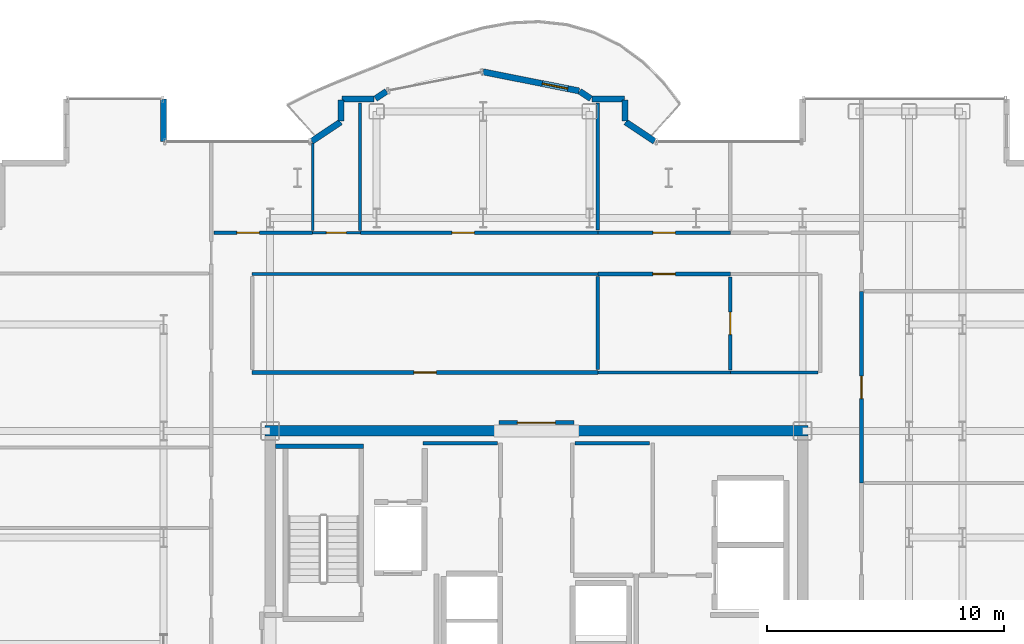
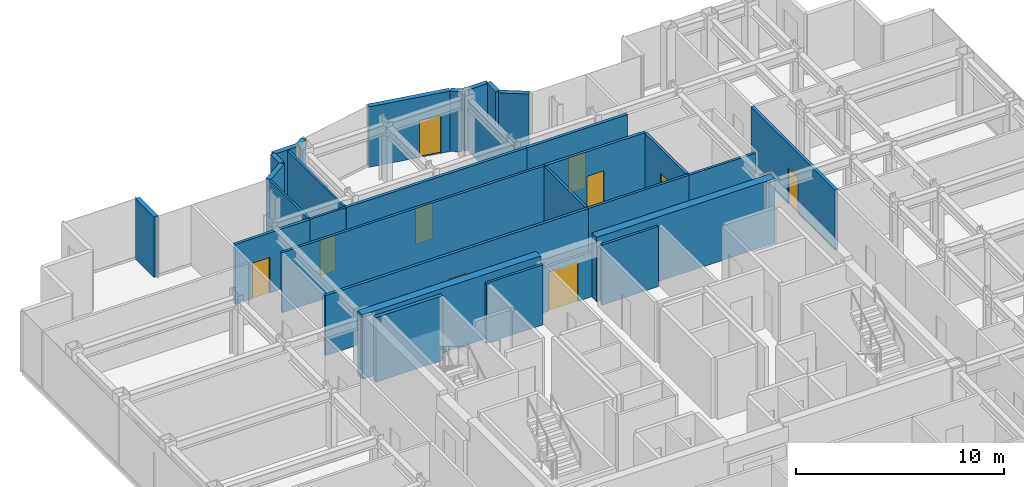
# One storey, part 18 of 21: 31 walls, 10 doors, 10 openings.
"""IFC4 building model written with IfcOpenShell, lengths in metres."""

import ifcopenshell
import ifcopenshell.guid

model = None  # the IFC model being written
_history = None  # IfcOwnerHistory: only IFC2X3 demands one
_inside = {}  # id of a spatial element -> (the spatial element, [elements in it])
_under = {}  # id of a project, library or spatial element -> (it, [spatial elements below it])
_declared = {}  # id of a project -> (the project, [libraries it declares])
_typed = {}  # id of a type object -> (the type object, [elements of that type])
_made_of = {}  # id of a material, layer set ... -> (it, [elements and type objects made of it])


def new_model(schema):
    """Start an empty IFC model of exactly this schema.

    Asked for "IFC4X3", IfcOpenShell would pick the latest addendum, in which some entities
    have other attributes; the version numbers below select the first issue.
    IFC2X3 requires an IfcOwnerHistory on every rooted entity: one is made here for all.
    """
    global model, _history
    if schema == "IFC4X3":
        model = ifcopenshell.file(schema_version=(4, 3, 0, 0))
    else:
        model = ifcopenshell.file(schema=schema)
    _inside.clear()
    _under.clear()
    _declared.clear()
    _typed.clear()
    _made_of.clear()
    _history = None
    if model.schema == "IFC2X3":
        org = make("IfcOrganization", Name="unknown")
        user = make(
            "IfcPersonAndOrganization",
            ThePerson=make("IfcPerson", FamilyName="unknown"),
            TheOrganization=org,
        )
        app = make(
            "IfcApplication",
            ApplicationDeveloper=org,
            Version="unknown",
            ApplicationFullName="unknown",
            ApplicationIdentifier="unknown",
        )
        _history = make(
            "IfcOwnerHistory",
            OwningUser=user,
            OwningApplication=app,
            ChangeAction="ADDED",
            CreationDate=0,
        )
    return model


def make(cls, **values):
    """One entity of the class cls with the attributes given. An attribute that is None is left unset."""
    return model.create_entity(
        cls, **{name: value for name, value in values.items() if value is not None}
    )


def rooted(cls, **values):
    """An entity with a GlobalId (a new one), such as an element, a storey or a relation."""
    return make(cls, GlobalId=ifcopenshell.guid.new(), OwnerHistory=_history, **values)


def si_unit(unit_type, name, prefix=None):
    """IfcSIUnit, for example si_unit("LENGTHUNIT", "METRE", prefix="MILLI")."""
    return make("IfcSIUnit", UnitType=unit_type, Prefix=prefix, Name=name)


def assignment(units):
    """IfcUnitAssignment: the units of a project."""
    return None if units is None else make("IfcUnitAssignment", Units=units)


def point(xyz):
    """IfcCartesianPoint."""
    return None if xyz is None else make("IfcCartesianPoint", Coordinates=xyz)


def direction(xyz):
    """IfcDirection."""
    return None if xyz is None else make("IfcDirection", DirectionRatios=xyz)


def frame(location, z_axis=None, x_axis=None):
    """IfcAxis2Placement3D, a coordinate frame: its origin and axes. An axis left out is left unset."""
    return make(
        "IfcAxis2Placement3D",
        Location=point(location),
        Axis=direction(z_axis),
        RefDirection=direction(x_axis),
    )


def frame_2d(location, x_axis=None):
    """IfcAxis2Placement2D, a coordinate frame in the plane: its origin and x axis."""
    return make(
        "IfcAxis2Placement2D", Location=point(location), RefDirection=direction(x_axis)
    )


def origin():
    """The frame at (0, 0, 0) with its axes left unset."""
    return frame((0.0, 0.0, 0.0))


def place(relative_to, where):
    """IfcLocalPlacement: puts the frame where relative to a parent placement (None: the world)."""
    return make(
        "IfcLocalPlacement", PlacementRelTo=relative_to, RelativePlacement=where
    )


def context(
    kind, dimensions, precision=None, world=None, true_north=None, identifier=None
):
    """IfcGeometricRepresentationContext, for example the 3D "Model" context."""
    return make(
        "IfcGeometricRepresentationContext",
        ContextIdentifier=identifier,
        ContextType=kind,
        CoordinateSpaceDimension=dimensions,
        Precision=precision,
        WorldCoordinateSystem=world,
        TrueNorth=true_north,
    )


def subcontext(parent, identifier, kind, view, scale=None):
    """IfcGeometricRepresentationSubContext, for example "Body" below "Model"."""
    return make(
        "IfcGeometricRepresentationSubContext",
        ContextIdentifier=identifier,
        ContextType=kind,
        ParentContext=parent,
        TargetScale=scale,
        TargetView=view,
    )


def project(units=None, contexts=None):
    """IfcProject with its units and contexts."""
    return rooted(
        "IfcProject",
        Name="project",
        RepresentationContexts=contexts,
        UnitsInContext=assignment(units),
    )


def spatial(cls, under=None, at=None, **own):
    """A site, building, storey or space (cls), placed at a placement, below another one or the project."""
    s = rooted(cls, ObjectPlacement=at, **own)
    if under is not None:
        _under.setdefault(under.id(), (under, []))[1].append(s)
    return s


def profile(cls, at=None, kind="AREA", **sizes):
    """A parametric profile (cls). Its sizes go by their IFC names, for example OverallWidth=200.0."""
    return make(cls, ProfileType=kind, Position=at, **sizes)


def rectangle(**sizes):
    """IfcRectangleProfileDef."""
    return profile("IfcRectangleProfileDef", **sizes)


def extrude(swept, where, along, depth):
    """IfcExtrudedAreaSolid: the profile swept, set in the frame where, extruded along a direction by depth."""
    return make(
        "IfcExtrudedAreaSolid",
        SweptArea=swept,
        Position=where,
        ExtrudedDirection=direction(along),
        Depth=depth,
    )


def shape(context_of_items, identifier, shape_type, items):
    """IfcShapeRepresentation: the items that make up one representation, for example the "Body"."""
    return make(
        "IfcShapeRepresentation",
        ContextOfItems=context_of_items,
        RepresentationIdentifier=identifier,
        RepresentationType=shape_type,
        Items=items,
    )


def source(mapping_origin, context_of_items, identifier, shape_type, items):
    """IfcRepresentationMap: a shape defined once, which mapped items show again and again."""
    return make(
        "IfcRepresentationMap",
        MappingOrigin=mapping_origin,
        MappedRepresentation=shape(context_of_items, identifier, shape_type, items),
    )


def transform(
    local_origin,
    x_axis=None,
    y_axis=None,
    z_axis=None,
    scale=None,
    scale2=None,
    scale3=None,
    uniform=True,
):
    """IfcCartesianTransformationOperator3D, or its non-uniform kind. x_axis, y_axis, z_axis: its Axis1, 2, 3."""
    if uniform:
        return make(
            "IfcCartesianTransformationOperator3D",
            Axis1=direction(x_axis),
            Axis2=direction(y_axis),
            LocalOrigin=point(local_origin),
            Scale=scale,
            Axis3=direction(z_axis),
        )
    return make(
        "IfcCartesianTransformationOperator3DnonUniform",
        Axis1=direction(x_axis),
        Axis2=direction(y_axis),
        LocalOrigin=point(local_origin),
        Scale=scale,
        Axis3=direction(z_axis),
        Scale2=scale2,
        Scale3=scale3,
    )


def mapped(mapping_source, mapping_target):
    """IfcMappedItem: shows the shape of a source again, moved by a transform."""
    return make(
        "IfcMappedItem", MappingSource=mapping_source, MappingTarget=mapping_target
    )


def material(Name=None, Category=None):
    """IfcMaterial."""
    return make("IfcMaterial", Name=Name, Category=Category)


def layer(
    of_material, thickness, ventilated=None, Name=None, Category=None, Priority=None
):
    """IfcMaterialLayer: one layer of a wall or slab, of a material (None: an air gap)."""
    return make(
        "IfcMaterialLayer",
        Material=of_material,
        LayerThickness=thickness,
        IsVentilated=ventilated,
        Name=Name,
        Category=Category,
        Priority=Priority,
    )


def layer_set(layers, Name=None):
    """IfcMaterialLayerSet."""
    return make("IfcMaterialLayerSet", MaterialLayers=layers, LayerSetName=Name)


def made_of(thing, what):
    """Note that an element or type object is made of a material, layer set ...; save() writes the relation."""
    if what is not None:
        _made_of.setdefault(what.id(), (what, []))[1].append(thing)
    return thing


def type_object(cls, material=None, **own):
    """A type object (cls), such as IfcWallType, which elements share."""
    return made_of(rooted(cls, **own), material)


def element(
    cls,
    number,
    at=None,
    inside=None,
    cuts=None,
    type_object=None,
    material=None,
    context=None,
    identifier="Body",
    shape_type=None,
    held_by="IfcProductDefinitionShape",
    body=None,
    shapes=None,
    **own,
):
    """One element of the class cls, such as IfcWall. Its Tag is "e" and its number.

    at: its placement. inside: the storey or other place that contains it. cuts: it is an
    opening in that element (IfcRelVoidsElement). A single representation is given by context,
    identifier, shape_type and body (its items); several are given by shapes. held_by: the class
    of the entity that holds the representations. save() writes the other relations.
    """
    e = rooted(cls, Tag="e%d" % number, ObjectPlacement=at, **own)
    if body is not None:
        shapes = [shape(context, identifier, shape_type, body)]
    if shapes is not None:
        e.Representation = make(held_by, Representations=shapes)
    if inside is not None:
        _inside.setdefault(inside.id(), (inside, []))[1].append(e)
    if cuts is not None:
        rooted(
            "IfcRelVoidsElement", RelatingBuildingElement=cuts, RelatedOpeningElement=e
        )
    if type_object is not None:
        _typed.setdefault(type_object.id(), (type_object, []))[1].append(e)
    return made_of(e, material)


def fill(opening, filler):
    """IfcRelFillsElement: the door or window that sits in an opening."""
    return rooted(
        "IfcRelFillsElement",
        RelatingOpeningElement=opening,
        RelatedBuildingElement=filler,
    )


def aggregate(whole, parts):
    """IfcRelAggregates: a whole, such as a stair, and the parts it consists of."""
    return rooted("IfcRelAggregates", RelatingObject=whole, RelatedObjects=parts)


def save(model, path):
    """Write the relations noted so far, then the file.

    IfcRelAggregates (storeys below a building ...), IfcRelContainedInSpatialStructure (elements
    in a storey), IfcRelDefinesByType, IfcRelAssociatesMaterial and IfcRelDeclares: one each for
    every whole, place, type object, material and project.
    """
    for whole, parts in _under.values():
        aggregate(whole, parts)
    for where, things in _inside.values():
        rooted(
            "IfcRelContainedInSpatialStructure",
            RelatedElements=things,
            RelatingStructure=where,
        )
    for kind, things in _typed.values():
        rooted("IfcRelDefinesByType", RelatedObjects=things, RelatingType=kind)
    for what, things in _made_of.values():
        rooted("IfcRelAssociatesMaterial", RelatedObjects=things, RelatingMaterial=what)
    for by, libraries in _declared.values():
        rooted("IfcRelDeclares", RelatingContext=by, RelatedDefinitions=libraries)
    model.write(path)


model = new_model("IFC4")

# Units and contexts
model_context = context("Model", 3, precision=1e-05, world=origin(), true_north=direction((0.0, 1.0)))
body_context = subcontext(model_context, "Body", "Model", "MODEL_VIEW")
ifc_project = project(units=[si_unit("LENGTHUNIT", "METRE"), si_unit("AREAUNIT", "SQUARE_METRE"), si_unit("VOLUMEUNIT", "CUBIC_METRE"), si_unit("PLANEANGLEUNIT", "RADIAN"), si_unit("MASSUNIT", "GRAM", prefix="KILO")], contexts=[model_context])

# Site, building, storey
site_placement = place(None, origin())
site = spatial("IfcSite", under=ifc_project, at=site_placement, CompositionType="ELEMENT")
building_placement = place(site_placement, origin())
building = spatial("IfcBuilding", under=site, at=building_placement, Name="Nefas-Gora Pilgrimage Tower", CompositionType="ELEMENT")
storey_placement = place(building_placement, frame((0.0, 0.0, 210.39990234375)))
storey = spatial("IfcBuildingStorey", under=building, at=storey_placement, Name="L52", CompositionType="ELEMENT", Elevation=210.39990234375)

# Walls
ifc_material_1 = material(Name="Concrete C50/60", Category="concrete")
ifc_layer_1 = layer(ifc_material_1, 0.449951171875)
ifc_layer_set_1 = layer_set([ifc_layer_1], Name="Concrete C50/60")
wall_type_1 = type_object("IfcWallType", Name="SW-CORE-450", PredefinedType="SHEAR", material=ifc_layer_set_1)
shared_shape_1 = source(origin(), body_context, "Body", "SweptSolid", [
    extrude(rectangle(XDim=9.925048828125, YDim=0.449951171875, at=frame_2d((4.96240234375, 0.0))), origin(), (0.0, 0.0, 1.0), 3.800048828125),
])
for number, where, z_axis, x_axis, name in (
    (1, (-11.47509765625, 9.0, 0.0), (0.0, 0.0, 1.0), (1.0, 0.0, 0.0), "L52 Core Shear Wall N-West"),
    (2, (1.550048828125, 9.0, 0.0), (0.0, 0.0, 1.0), (1.0, 0.0, 0.0), "L52 Core Shear Wall N-East"),
):
    element("IfcWall", number, at=place(storey_placement, frame(where, z_axis=z_axis, x_axis=x_axis)), inside=storey, type_object=wall_type_1, Name=name, PredefinedType="SHEAR", context=body_context, shape_type="MappedRepresentation", body=[
        mapped(shared_shape_1, transform((0.0, 0.0, 0.0), x_axis=(1.0, 0.0, 0.0), y_axis=(0.0, 1.0, 0.0), z_axis=(0.0, 0.0, 1.0), scale=1.0)),
    ])
ifc_material_2 = material(Name="Precast concrete C40/50", Category="concrete")
ifc_layer_2 = layer(ifc_material_2, 0.260009765625)
ifc_layer_set_2 = layer_set([ifc_layer_2], Name="Precast concrete C40/50")
wall_type_2 = type_object("IfcWallType", Name="EW-PORTAL-260", PredefinedType="SOLIDWALL", material=ifc_layer_set_2)
shared_shape_2 = source(origin(), body_context, "Body", "SweptSolid", [
    extrude(rectangle(XDim=1.800048828125, YDim=0.260009765625, at=frame_2d((0.89990234375, 0.0))), origin(), (0.0, 0.0, 1.0), 3.550048828125),
])
wall_1_placement = place(storey_placement, frame((-15.75, 21.219970703125, 0.0), z_axis=(0.0, 0.0, 1.0), x_axis=(0.0, 1.0, 0.0)))
element("IfcWall", 3, at=wall_1_placement, inside=storey, type_object=wall_type_2, Name="L52 Lobe Shoulder Precast Spandrel Pier 20", PredefinedType="SOLIDWALL", context=body_context, shape_type="MappedRepresentation", body=[
    mapped(shared_shape_2, transform((0.0, 0.0, 0.0), x_axis=(1.0, 0.0, 0.0), y_axis=(0.0, 1.0, 0.0), z_axis=(0.0, 0.0, 1.0), scale=1.0)),
])
shared_shape_3 = source(origin(), body_context, "Body", "SweptSolid", [
    extrude(rectangle(XDim=1.468994140625, YDim=0.260009765625, at=frame_2d((0.734375, 0.0))), origin(), (0.0, 0.0, 1.0), 3.550048828125),
])
for number, where, z_axis, x_axis, name in (
    (4, (4.99462890625, 21.235595703125, 0.0), (0.0, 0.0, 1.0), (-0.831461760506, 0.555581983884, 0.0), "L52 Lobe Shoulder Precast Spandrel Pier 11"),
    (5, (-8.273193359375, 22.0517578125, 0.0), (0.0, 0.0, 1.0), (-0.831461760506, -0.555581983884, 0.0), "L52 Lobe Shoulder Precast Spandrel Pier 19"),
):
    element("IfcWall", number, at=place(storey_placement, frame(where, z_axis=z_axis, x_axis=x_axis)), inside=storey, type_object=wall_type_2, Name=name, PredefinedType="SOLIDWALL", context=body_context, shape_type="MappedRepresentation", body=[
        mapped(shared_shape_3, transform((0.0, 0.0, 0.0), x_axis=(1.0, 0.0, 0.0), y_axis=(0.0, 1.0, 0.0), z_axis=(0.0, 0.0, 1.0), scale=1.0)),
    ])
shared_shape_4 = source(origin(), body_context, "Body", "SweptSolid", [
    extrude(rectangle(XDim=0.896728515625, YDim=0.260009765625, at=frame_2d((0.4482421875, 0.0))), origin(), (0.0, 0.0, 1.0), 3.550048828125),
])
for number, where, z_axis, x_axis, name in (
    (6, (3.75, 22.09521484375, 0.0), (0.0, 0.0, 1.0), (0.0, 1.0, 0.0), "L52 Lobe Shoulder Precast Spandrel Pier 12"),
    (7, (-8.25, 22.991943359375, 0.0), (0.0, 0.0, 1.0), (0.0, -1.0, 0.0), "L52 Lobe Shoulder Precast Spandrel Pier 18"),
):
    element("IfcWall", number, at=place(storey_placement, frame(where, z_axis=z_axis, x_axis=x_axis)), inside=storey, type_object=wall_type_2, Name=name, PredefinedType="SOLIDWALL", context=body_context, shape_type="MappedRepresentation", body=[
        mapped(shared_shape_4, transform((0.0, 0.0, 0.0), x_axis=(1.0, 0.0, 0.0), y_axis=(0.0, 1.0, 0.0), z_axis=(0.0, 0.0, 1.0), scale=1.0)),
    ])
shared_shape_5 = source(origin(), body_context, "Body", "SweptSolid", [
    extrude(rectangle(XDim=1.369873046875, YDim=0.260009765625, at=frame_2d((0.68505859375, 0.0))), origin(), (0.0, 0.0, 1.0), 3.550048828125),
])
for number, where, z_axis, x_axis, name in (
    (8, (3.721923828125, 23.02001953125, 0.0), (0.0, 0.0, 1.0), (-1.0, 0.0, 0.0), "L52 Lobe Shoulder Precast Spandrel Pier 13"),
    (9, (-6.85205078125, 23.02001953125, 0.0), (0.0, 0.0, 1.0), (-1.0, 0.0, 0.0), "L52 Lobe Shoulder Precast Spandrel Pier 17"),
):
    element("IfcWall", number, at=place(storey_placement, frame(where, z_axis=z_axis, x_axis=x_axis)), inside=storey, type_object=wall_type_2, Name=name, PredefinedType="SOLIDWALL", context=body_context, shape_type="MappedRepresentation", body=[
        mapped(shared_shape_5, transform((0.0, 0.0, 0.0), x_axis=(1.0, 0.0, 0.0), y_axis=(0.0, 1.0, 0.0), z_axis=(0.0, 0.0, 1.0), scale=1.0)),
    ])
shared_shape_6 = source(origin(), body_context, "Body", "SweptSolid", [
    extrude(rectangle(XDim=0.5654296875, YDim=0.260009765625, at=frame_2d((0.28271484375, 0.0))), origin(), (0.0, 0.0, 1.0), 3.550048828125),
])
for number, where, z_axis, x_axis, name in (
    (10, (2.30078125, 23.03564453125, 0.0), (0.0, 0.0, 1.0), (-0.831651492666, 0.555297933317, 0.0), "L52 Lobe Shoulder Precast Spandrel Pier 14"),
    (11, (-6.33056640625, 23.349609375, 0.0), (0.0, 0.0, 1.0), (-0.831651492666, -0.555297933317, 0.0), "L52 Lobe Shoulder Precast Spandrel Pier 16"),
):
    element("IfcWall", number, at=place(storey_placement, frame(where, z_axis=z_axis, x_axis=x_axis)), inside=storey, type_object=wall_type_2, Name=name, PredefinedType="SOLIDWALL", context=body_context, shape_type="MappedRepresentation", body=[
        mapped(shared_shape_6, transform((0.0, 0.0, 0.0), x_axis=(1.0, 0.0, 0.0), y_axis=(0.0, 1.0, 0.0), z_axis=(0.0, 0.0, 1.0), scale=1.0)),
    ])

# Wall, opening, door
shared_shape_7 = source(origin(), body_context, "Body", "SweptSolid", [
    extrude(rectangle(XDim=4.136962890625, YDim=0.260009765625, at=frame_2d((2.068359375, 0.0))), origin(), (0.0, 0.0, 1.0), 3.550048828125),
])
wall_2_placement = place(storey_placement, frame((1.807373046875, 23.365234375, 0.0), z_axis=(0.0, 0.0, 1.0), x_axis=(-0.980782170794, 0.195105954428, 0.0)))
wall_2 = element("IfcWall", 12, at=wall_2_placement, inside=storey, type_object=wall_type_2, Name="L52 Insulated Terrace Portal Wall 15", PredefinedType="SOLIDWALL", context=body_context, shape_type="MappedRepresentation", body=[
    mapped(shared_shape_7, transform((0.0, 0.0, 0.0), x_axis=(1.0, 0.0, 0.0), y_axis=(0.0, 1.0, 0.0), z_axis=(0.0, 0.0, 1.0), scale=1.0)),
])
opening_1_placement = place(wall_2_placement, frame((0.48779296875, 0.0, 0.0)))
opening_1 = element("IfcOpeningElement", 13, at=opening_1_placement, cuts=wall_2, Name="Opening ED-B1", PredefinedType="OPENING", context=body_context, shape_type="SweptSolid", body=[
    extrude(rectangle(XDim=1.10009765625, YDim=2.199951171875, at=frame_2d((0.550048828125, 1.10009765625))), frame((0.0, 0.139892578125, 0.0), z_axis=(0.0, -1.0, 0.0), x_axis=(1.0, 0.0, 0.0)), (0.0, 0.0, 1.0), 0.280029296875),
])
ifc_material_3 = material(Name="Thermally broken glazed aluminium balcony door", Category="aluminium")
door_type_1 = type_object("IfcDoorType", Name="DR-EXT-BAL-1100", OperationType="NOTDEFINED", PredefinedType="DOOR", material=ifc_material_3)
shared_shape_8 = source(origin(), body_context, "Body", "SweptSolid", [
    extrude(rectangle(XDim=1.10009765625, YDim=2.199951171875, at=frame_2d((0.550048828125, 1.10009765625))), frame((0.0, 0.02490234375, 0.0), z_axis=(0.0, -1.0, 0.0), x_axis=(1.0, 0.0, 0.0)), (0.0, 0.0, 1.0), 0.050048828125),
])
door_1_placement = place(opening_1_placement, origin())
door_1 = element("IfcDoor", 14, at=door_1_placement, inside=storey, type_object=door_type_1, Name="L52 Exterior Door (L52 N Lobe Wave Balcony)", OperationType="SINGLE_SWING_LEFT", OverallHeight=2.199951171875, OverallWidth=1.10009765625, PredefinedType="DOOR", context=body_context, shape_type="MappedRepresentation", body=[
    mapped(shared_shape_8, transform((0.0, 0.0, 0.0), x_axis=(1.0, 0.0, 0.0), y_axis=(0.0, 1.0, 0.0), z_axis=(0.0, 0.0, 1.0), scale=1.0)),
])
fill(opening_1, door_1)

# Walls
ifc_material_4 = material(Name="Concrete C45/55", Category="concrete")
ifc_layer_3 = layer(ifc_material_4, 0.199951171875)
ifc_layer_set_3 = layer_set([ifc_layer_3], Name="Concrete C45/55")
wall_type_3 = type_object("IfcWallType", Name="IW-STAIR-200", PredefinedType="SOLIDWALL", material=ifc_layer_set_3)
shared_shape_9 = source(origin(), body_context, "Body", "SweptSolid", [
    extrude(rectangle(XDim=3.72998046875, YDim=0.199951171875, at=frame_2d((1.864990234375, 0.0))), origin(), (0.0, 0.0, 1.0), 3.800048828125),
])
wall_3_placement = place(storey_placement, frame((-7.300048828125, 8.35009765625, 0.0), z_axis=(0.0, 0.0, 1.0), x_axis=(-1.0, 0.0, 0.0)))
element("IfcWall", 15, at=wall_3_placement, inside=storey, type_object=wall_type_3, Name="L52 Stairwell Shear Wall ST-01-far", PredefinedType="SOLIDWALL", context=body_context, shape_type="MappedRepresentation", body=[
    mapped(shared_shape_9, transform((0.0, 0.0, 0.0), x_axis=(1.0, 0.0, 0.0), y_axis=(0.0, 1.0, 0.0), z_axis=(0.0, 0.0, 1.0), scale=1.0)),
])
ifc_material_5 = material(Name="Gypsum twin-stud partition")
ifc_layer_4 = layer(ifc_material_5, 0.139892578125)
ifc_layer_set_4 = layer_set([ifc_layer_4], Name="Gypsum twin-stud partition")
wall_type_4 = type_object("IfcWallType", Name="IW-UNIT-140", PredefinedType="PARTITIONING", material=ifc_layer_set_4)
shared_shape_10 = source(origin(), body_context, "Body", "SweptSolid", [
    extrude(rectangle(XDim=3.150146484375, YDim=0.139892578125, at=frame_2d((1.5751953125, 0.0))), origin(), (0.0, 0.0, 1.0), 3.53515625),
])
for number, where, z_axis, x_axis, name in (
    (16, (-4.7900390625, 8.47998046875, 0.0), (0.0, 0.0, 1.0), (1.0, 0.0, 0.0), "L52 Housekeeping and Linen Store Partition Wall 19"),
    (17, (1.639892578125, 8.47998046875, 0.0), (0.0, 0.0, 1.0), (1.0, 0.0, 0.0), "L52 Freed Bank-1 Amenity Supply Store Partition Wall 24"),
):
    element("IfcWall", number, at=place(storey_placement, frame(where, z_axis=z_axis, x_axis=x_axis)), inside=storey, type_object=wall_type_4, Name=name, PredefinedType="PARTITIONING", context=body_context, shape_type="MappedRepresentation", body=[
        mapped(shared_shape_10, transform((0.0, 0.0, 0.0), x_axis=(1.0, 0.0, 0.0), y_axis=(0.0, 1.0, 0.0), z_axis=(0.0, 0.0, 1.0), scale=1.0)),
    ])

# Wall, opening, door
ifc_material_6 = material(Name="Moisture-resistant fire-rated gypsum partition")
ifc_layer_5 = layer(ifc_material_6, 0.1201171875)
ifc_layer_set_5 = layer_set([ifc_layer_5], Name="Moisture-resistant fire-rated gypsum partition")
wall_type_5 = type_object("IfcWallType", Name="IW-WET-120", PredefinedType="PLUMBINGWALL", material=ifc_layer_set_5)
shared_shape_11 = source(origin(), body_context, "Body", "SweptSolid", [
    extrude(rectangle(XDim=2.02001953125, YDim=0.1201171875, at=frame_2d((1.010009765625, 0.0))), origin(), (0.0, 0.0, 1.0), 3.53515625),
])
wall_4_placement = place(storey_placement, frame((-9.4599609375, 17.3701171875, 0.0), z_axis=(0.0, 0.0, 1.0), x_axis=(1.0, 0.0, 0.0)))
wall_4 = element("IfcWall", 18, at=wall_4_placement, inside=storey, type_object=wall_type_5, Name="L52 Accessible Unisex WC Partition Wall 25", PredefinedType="PLUMBINGWALL", context=body_context, shape_type="MappedRepresentation", body=[
    mapped(shared_shape_11, transform((0.0, 0.0, 0.0), x_axis=(1.0, 0.0, 0.0), y_axis=(0.0, 1.0, 0.0), z_axis=(0.0, 0.0, 1.0), scale=1.0)),
])
opening_2_placement = place(wall_4_placement, frame((0.5849609375, 0.0, 0.0)))
opening_2 = element("IfcOpeningElement", 19, at=opening_2_placement, cuts=wall_4, Name="Opening ID-BT1", PredefinedType="OPENING", context=body_context, shape_type="SweptSolid", body=[
    extrude(rectangle(XDim=0.85009765625, YDim=2.10009765625, at=frame_2d((0.425048828125, 1.050048828125))), frame((0.0, 0.070068359375, 0.0), z_axis=(0.0, -1.0, 0.0), x_axis=(1.0, 0.0, 0.0)), (0.0, 0.0, 1.0), 0.14013671875),
])
ifc_material_7 = material(Name="Moisture-resistant fire-rated timber door", Category="wood")
door_type_2 = type_object("IfcDoorType", Name="DR-INT-BATH-850", OperationType="NOTDEFINED", PredefinedType="DOOR", material=ifc_material_7)
shared_shape_12 = source(origin(), body_context, "Body", "SweptSolid", [
    extrude(rectangle(XDim=0.85009765625, YDim=2.10009765625, at=frame_2d((0.425048828125, 1.050048828125))), frame((0.0, 0.02490234375, 0.0), z_axis=(0.0, -1.0, 0.0), x_axis=(1.0, 0.0, 0.0)), (0.0, 0.0, 1.0), 0.050048828125),
])
door_2_placement = place(opening_2_placement, origin())
door_2 = element("IfcDoor", 20, at=door_2_placement, inside=storey, type_object=door_type_2, Name="L52 Accessible Unisex WC Door 10", OperationType="SINGLE_SWING_RIGHT", OverallHeight=2.10009765625, OverallWidth=0.85009765625, PredefinedType="DOOR", context=body_context, shape_type="MappedRepresentation", body=[
    mapped(shared_shape_12, transform((0.0, 0.0, 0.0), x_axis=(1.0, 0.0, 0.0), y_axis=(0.0, 1.0, 0.0), z_axis=(0.0, 0.0, 1.0), scale=1.0)),
])
fill(opening_2, door_2)

ifc_material_8 = material(Name="Gypsum acoustic stud partition")
ifc_layer_6 = layer(ifc_material_8, 0.159912109375)
ifc_layer_set_6 = layer_set([ifc_layer_6], Name="Gypsum acoustic stud partition")
wall_type_6 = type_object("IfcWallType", Name="IW-CORR-160", PredefinedType="PARTITIONING", material=ifc_layer_set_6)
shared_shape_13 = source(origin(), body_context, "Body", "SweptSolid", [
    extrude(rectangle(XDim=5.610107421875, YDim=0.159912109375, at=frame_2d((2.80517578125, 0.0))), origin(), (0.0, 0.0, 1.0), 3.53515625),
])
wall_5_placement = place(storey_placement, frame((2.594970703125, 17.3701171875, 0.0), z_axis=(0.0, 0.0, 1.0), x_axis=(1.0, 0.0, 0.0)))
wall_5 = element("IfcWall", 21, at=wall_5_placement, inside=storey, type_object=wall_type_6, Name="L52 Pilgrim Contemplative Lounge Partition Wall 59", PredefinedType="PARTITIONING", context=body_context, shape_type="MappedRepresentation", body=[
    mapped(shared_shape_13, transform((0.0, 0.0, 0.0), x_axis=(1.0, 0.0, 0.0), y_axis=(0.0, 1.0, 0.0), z_axis=(0.0, 0.0, 1.0), scale=1.0)),
])
opening_3_placement = place(wall_5_placement, frame((2.330078125, 0.0, 0.0)))
opening_3 = element("IfcOpeningElement", 22, at=opening_3_placement, cuts=wall_5, Name="Opening ID-GR1", PredefinedType="OPENING", context=body_context, shape_type="SweptSolid", body=[
    extrude(rectangle(XDim=0.949951171875, YDim=2.10009765625, at=frame_2d((0.47509765625, 1.050048828125))), frame((0.0, 0.08984375, 0.0), z_axis=(0.0, -1.0, 0.0), x_axis=(1.0, 0.0, 0.0)), (0.0, 0.0, 1.0), 0.179931640625),
])
ifc_material_9 = material(Name="Solid core oak fire-rated guest entrance door")
door_type_3 = type_object("IfcDoorType", Name="DR-INT-GUEST-950", OperationType="NOTDEFINED", PredefinedType="DOOR", material=ifc_material_9)
shared_shape_14 = source(origin(), body_context, "Body", "SweptSolid", [
    extrude(rectangle(XDim=0.949951171875, YDim=2.10009765625, at=frame_2d((0.47509765625, 1.050048828125))), frame((0.0, 0.02490234375, 0.0), z_axis=(0.0, -1.0, 0.0), x_axis=(1.0, 0.0, 0.0)), (0.0, 0.0, 1.0), 0.050048828125),
])
door_3_placement = place(opening_3_placement, origin())
door_3 = element("IfcDoor", 23, at=door_3_placement, inside=storey, type_object=door_type_3, Name="L52 Pilgrim Contemplative Lounge Door 27", OperationType="SINGLE_SWING_LEFT", OverallHeight=2.10009765625, OverallWidth=0.949951171875, PredefinedType="DOOR", context=body_context, shape_type="MappedRepresentation", body=[
    mapped(shared_shape_14, transform((0.0, 0.0, 0.0), x_axis=(1.0, 0.0, 0.0), y_axis=(0.0, 1.0, 0.0), z_axis=(0.0, 0.0, 1.0), scale=1.0)),
])
fill(opening_3, door_3)

wall_6_placement = place(storey_placement, frame((2.594970703125, 15.6298828125, 0.0), z_axis=(0.0, 0.0, 1.0), x_axis=(1.0, 0.0, 0.0)))
wall_6 = element("IfcWall", 24, at=wall_6_placement, inside=storey, type_object=wall_type_6, Name="L52 Scripture Reading Study Partition Wall 61", PredefinedType="PARTITIONING", context=body_context, shape_type="MappedRepresentation", body=[
    mapped(shared_shape_13, transform((0.0, 0.0, 0.0), x_axis=(1.0, 0.0, 0.0), y_axis=(0.0, 1.0, 0.0), z_axis=(0.0, 0.0, 1.0), scale=1.0)),
])
opening_4_placement = place(wall_6_placement, frame((2.330078125, 0.0, 0.0)))
opening_4 = element("IfcOpeningElement", 25, at=opening_4_placement, cuts=wall_6, Name="Opening ID-GR1", PredefinedType="OPENING", context=body_context, shape_type="SweptSolid", body=[
    extrude(rectangle(XDim=0.949951171875, YDim=2.10009765625, at=frame_2d((0.47509765625, 1.050048828125))), frame((0.0, 0.08984375, 0.0), z_axis=(0.0, -1.0, 0.0), x_axis=(1.0, 0.0, 0.0)), (0.0, 0.0, 1.0), 0.179931640625),
])
door_4_placement = place(opening_4_placement, origin())
door_4 = element("IfcDoor", 26, at=door_4_placement, inside=storey, type_object=door_type_3, Name="L52 Scripture Reading Study Door 28", OperationType="SINGLE_SWING_RIGHT", OverallHeight=2.10009765625, OverallWidth=0.949951171875, PredefinedType="DOOR", context=body_context, shape_type="MappedRepresentation", body=[
    mapped(shared_shape_14, transform((0.0, 0.0, 0.0), x_axis=(1.0, 0.0, 0.0), y_axis=(0.0, 1.0, 0.0), z_axis=(0.0, 0.0, 1.0), scale=1.0)),
])
fill(opening_4, door_4)

# Walls
shared_shape_15 = source(origin(), body_context, "Body", "SweptSolid", [
    extrude(rectangle(XDim=5.380126953125, YDim=0.1201171875, at=frame_2d((2.68994140625, 0.0))), origin(), (0.0, 0.0, 1.0), 3.53515625),
])
wall_7_placement = place(storey_placement, frame((-7.449951171875, 17.469970703125, 0.0), z_axis=(0.0, 0.0, 1.0), x_axis=(0.0, 1.0, 0.0)))
element("IfcWall", 27, at=wall_7_placement, inside=storey, type_object=wall_type_5, Name="L52 Accessible Unisex WC Partition Wall 26", PredefinedType="PLUMBINGWALL", context=body_context, shape_type="MappedRepresentation", body=[
    mapped(shared_shape_15, transform((0.0, 0.0, 0.0), x_axis=(1.0, 0.0, 0.0), y_axis=(0.0, 1.0, 0.0), z_axis=(0.0, 0.0, 1.0), scale=1.0)),
])
shared_shape_16 = source(origin(), body_context, "Body", "SweptSolid", [
    extrude(rectangle(XDim=3.686767578125, YDim=0.1201171875, at=frame_2d((1.84326171875, 0.0))), origin(), (0.0, 0.0, 1.0), 3.53515625),
])
wall_8_placement = place(storey_placement, frame((-9.449951171875, 17.469970703125, 0.0), z_axis=(0.0, 0.0, 1.0), x_axis=(0.0, 1.0, 0.0)))
element("IfcWall", 28, at=wall_8_placement, inside=storey, type_object=wall_type_5, Name="L52 Accessible Unisex WC Partition Wall 27", PredefinedType="PLUMBINGWALL", context=body_context, shape_type="MappedRepresentation", body=[
    mapped(shared_shape_16, transform((0.0, 0.0, 0.0), x_axis=(1.0, 0.0, 0.0), y_axis=(0.0, 1.0, 0.0), z_axis=(0.0, 0.0, 1.0), scale=1.0)),
])
shared_shape_17 = source(origin(), body_context, "Body", "SweptSolid", [
    extrude(rectangle(XDim=3.929931640625, YDim=0.139892578125, at=frame_2d((1.96484375, 0.0))), origin(), (0.0, 0.0, 1.0), 3.53515625),
])
wall_9_placement = place(storey_placement, frame((2.594970703125, 11.590087890625, 0.0), z_axis=(0.0, 0.0, 1.0), x_axis=(0.0, 1.0, 0.0)))
element("IfcWall", 29, at=wall_9_placement, inside=storey, type_object=wall_type_4, Name="L52 Pilgrim Contemplative Lounge Partition Wall 55", PredefinedType="PARTITIONING", context=body_context, shape_type="MappedRepresentation", body=[
    mapped(shared_shape_17, transform((0.0, 0.0, 0.0), x_axis=(1.0, 0.0, 0.0), y_axis=(0.0, 1.0, 0.0), z_axis=(0.0, 0.0, 1.0), scale=1.0)),
])

# Wall, opening, door
shared_shape_18 = source(origin(), body_context, "Body", "SweptSolid", [
    extrude(rectangle(XDim=4.16015625, YDim=0.159912109375, at=frame_2d((2.080078125, 0.0))), origin(), (0.0, 0.0, 1.0), 3.53515625),
])
wall_10_placement = place(storey_placement, frame((-13.6201171875, 17.3701171875, 0.0), z_axis=(0.0, 0.0, 1.0), x_axis=(1.0, 0.0, 0.0)))
wall_10 = element("IfcWall", 30, at=wall_10_placement, inside=storey, type_object=wall_type_6, Name="L52 Pilgrim Contemplative Lounge Partition Wall 58", PredefinedType="PARTITIONING", context=body_context, shape_type="MappedRepresentation", body=[
    mapped(shared_shape_18, transform((0.0, 0.0, 0.0), x_axis=(1.0, 0.0, 0.0), y_axis=(0.0, 1.0, 0.0), z_axis=(0.0, 0.0, 1.0), scale=1.0)),
])
opening_5_placement = place(wall_10_placement, frame((0.968994140625, 0.0, 0.0)))
opening_5 = element("IfcOpeningElement", 31, at=opening_5_placement, cuts=wall_10, Name="Opening ID-GR1", PredefinedType="OPENING", context=body_context, shape_type="SweptSolid", body=[
    extrude(rectangle(XDim=0.949951171875, YDim=2.10009765625, at=frame_2d((0.47509765625, 1.050048828125))), frame((0.0, 0.08984375, 0.0), z_axis=(0.0, -1.0, 0.0), x_axis=(1.0, 0.0, 0.0)), (0.0, 0.0, 1.0), 0.179931640625),
])
door_5_placement = place(opening_5_placement, origin())
door_5 = element("IfcDoor", 32, at=door_5_placement, inside=storey, type_object=door_type_3, Name="L52 Pilgrim Contemplative Lounge Door 26", OperationType="SINGLE_SWING_RIGHT", OverallHeight=2.10009765625, OverallWidth=0.949951171875, PredefinedType="DOOR", context=body_context, shape_type="MappedRepresentation", body=[
    mapped(shared_shape_14, transform((0.0, 0.0, 0.0), x_axis=(1.0, 0.0, 0.0), y_axis=(0.0, 1.0, 0.0), z_axis=(0.0, 0.0, 1.0), scale=1.0)),
])
fill(opening_5, door_5)

shared_shape_19 = source(origin(), body_context, "Body", "SweptSolid", [
    extrude(rectangle(XDim=3.929931640625, YDim=0.159912109375, at=frame_2d((1.96484375, 0.0))), origin(), (0.0, 0.0, 1.0), 3.53515625),
])
wall_11_placement = place(storey_placement, frame((8.195068359375, 11.580078125, 0.0), z_axis=(0.0, 0.0, 1.0), x_axis=(0.0, 1.0, 0.0)))
wall_11 = element("IfcWall", 33, at=wall_11_placement, inside=storey, type_object=wall_type_6, Name="L52 Scripture Reading Study Partition Wall 63", PredefinedType="PARTITIONING", context=body_context, shape_type="MappedRepresentation", body=[
    mapped(shared_shape_19, transform((0.0, 0.0, 0.0), x_axis=(1.0, 0.0, 0.0), y_axis=(0.0, 1.0, 0.0), z_axis=(0.0, 0.0, 1.0), scale=1.0)),
])
opening_6_placement = place(wall_11_placement, frame((1.489990234375, 0.0, 0.0)))
opening_6 = element("IfcOpeningElement", 34, at=opening_6_placement, cuts=wall_11, Name="Opening ID-GR1", PredefinedType="OPENING", context=body_context, shape_type="SweptSolid", body=[
    extrude(rectangle(XDim=0.949951171875, YDim=2.10009765625, at=frame_2d((0.47509765625, 1.050048828125))), frame((0.0, 0.08984375, 0.0), z_axis=(0.0, -1.0, 0.0), x_axis=(1.0, 0.0, 0.0)), (0.0, 0.0, 1.0), 0.179931640625),
])
door_6_placement = place(opening_6_placement, origin())
door_6 = element("IfcDoor", 35, at=door_6_placement, inside=storey, type_object=door_type_3, Name="L52 Pilgrim Contemplative Lounge Door 29", OperationType="SINGLE_SWING_LEFT", OverallHeight=2.10009765625, OverallWidth=0.949951171875, PredefinedType="DOOR", context=body_context, shape_type="MappedRepresentation", body=[
    mapped(shared_shape_14, transform((0.0, 0.0, 0.0), x_axis=(1.0, 0.0, 0.0), y_axis=(0.0, 1.0, 0.0), z_axis=(0.0, 0.0, 1.0), scale=1.0)),
])
fill(opening_6, door_6)

# Wall
shared_shape_20 = source(origin(), body_context, "Body", "SweptSolid", [
    extrude(rectangle(XDim=3.69482421875, YDim=0.139892578125, at=frame_2d((1.847412109375, 0.0))), origin(), (0.0, 0.0, 1.0), 3.53515625),
])
wall_12_placement = place(storey_placement, frame((8.195068359375, 11.469970703125, 0.0), z_axis=(0.0, 0.0, 1.0), x_axis=(1.0, 0.0, 0.0)))
element("IfcWall", 36, at=wall_12_placement, inside=storey, type_object=wall_type_4, Name="L52 Pilgrim Contemplative Lounge Partition Wall 67", PredefinedType="PARTITIONING", context=body_context, shape_type="MappedRepresentation", body=[
    mapped(shared_shape_20, transform((0.0, 0.0, 0.0), x_axis=(1.0, 0.0, 0.0), y_axis=(0.0, 1.0, 0.0), z_axis=(0.0, 0.0, 1.0), scale=1.0)),
])

# Wall, opening, door
shared_shape_21 = source(origin(), body_context, "Body", "SweptSolid", [
    extrude(rectangle(XDim=3.16015625, YDim=0.159912109375, at=frame_2d((1.580078125, 0.0))), origin(), (0.0, 0.0, 1.0), 2.625),
])
wall_13_placement = place(storey_placement, frame((-1.580078125, 9.35009765625, 0.0), z_axis=(0.0, 0.0, 1.0), x_axis=(1.0, 0.0, 0.0)))
wall_13 = element("IfcWall", 37, at=wall_13_placement, inside=storey, type_object=wall_type_6, Name="L52 Central Lift Lobby North Portal Wall 15", PredefinedType="PARTITIONING", context=body_context, shape_type="MappedRepresentation", body=[
    mapped(shared_shape_21, transform((0.0, 0.0, 0.0), x_axis=(1.0, 0.0, 0.0), y_axis=(0.0, 1.0, 0.0), z_axis=(0.0, 0.0, 1.0), scale=1.0)),
])
opening_7_placement = place(wall_13_placement, frame((0.780029296875, 0.0, 0.0)))
opening_7 = element("IfcOpeningElement", 38, at=opening_7_placement, cuts=wall_13, Name="Opening ID-HL1", PredefinedType="OPENING", context=body_context, shape_type="SweptSolid", body=[
    extrude(rectangle(XDim=1.60009765625, YDim=2.300048828125, at=frame_2d((0.800048828125, 1.14990234375))), frame((0.0, 0.08984375, 0.0), z_axis=(0.0, -1.0, 0.0), x_axis=(1.0, 0.0, 0.0)), (0.0, 0.0, 1.0), 0.179931640625),
])
ifc_material_10 = material(Name="Double acoustic timber assembly hall door", Category="wood")
door_type_4 = type_object("IfcDoorType", Name="DR-INT-HALL-1600", OperationType="DOUBLE_DOOR_SINGLE_SWING", PredefinedType="DOOR", material=ifc_material_10)
shared_shape_22 = source(origin(), body_context, "Body", "SweptSolid", [
    extrude(rectangle(XDim=1.60009765625, YDim=2.300048828125, at=frame_2d((0.800048828125, 1.14990234375))), frame((0.0, 0.02490234375, 0.0), z_axis=(0.0, -1.0, 0.0), x_axis=(1.0, 0.0, 0.0)), (0.0, 0.0, 1.0), 0.050048828125),
])
door_7_placement = place(opening_7_placement, origin())
door_7 = element("IfcDoor", 39, at=door_7_placement, inside=storey, type_object=door_type_4, Name="L52 Central Lift Lobby North Portal Door 5", OperationType="DOUBLE_DOOR_SINGLE_SWING", OverallHeight=2.300048828125, OverallWidth=1.60009765625, PredefinedType="DOOR", context=body_context, shape_type="MappedRepresentation", body=[
    mapped(shared_shape_22, transform((0.0, 0.0, 0.0), x_axis=(1.0, 0.0, 0.0), y_axis=(0.0, 1.0, 0.0), z_axis=(0.0, 0.0, 1.0), scale=1.0)),
])
fill(opening_7, door_7)

shared_shape_23 = source(origin(), body_context, "Body", "SweptSolid", [
    extrude(rectangle(XDim=8.092529296875, YDim=0.159912109375, at=frame_2d((4.04638671875, 0.0))), origin(), (0.0, 0.0, 1.0), 3.53515625),
])
wall_14_placement = place(storey_placement, frame((13.739990234375, 6.794921875, 0.0), z_axis=(0.0, 0.0, 1.0), x_axis=(0.0, 1.0, 0.0)))
wall_14 = element("IfcWall", 40, at=wall_14_placement, inside=storey, type_object=wall_type_6, Name="L52 Pilgrim Contemplative Lounge Partition Wall 51", PredefinedType="PARTITIONING", context=body_context, shape_type="MappedRepresentation", body=[
    mapped(shared_shape_23, transform((0.0, 0.0, 0.0), x_axis=(1.0, 0.0, 0.0), y_axis=(0.0, 1.0, 0.0), z_axis=(0.0, 0.0, 1.0), scale=1.0)),
])
opening_8_placement = place(wall_14_placement, frame((3.5712890625, 0.0, 0.0)))
opening_8 = element("IfcOpeningElement", 41, at=opening_8_placement, cuts=wall_14, Name="Opening ID-GR1", PredefinedType="OPENING", context=body_context, shape_type="SweptSolid", body=[
    extrude(rectangle(XDim=0.949951171875, YDim=2.10009765625, at=frame_2d((0.47509765625, 1.050048828125))), frame((0.0, 0.08984375, 0.0), z_axis=(0.0, -1.0, 0.0), x_axis=(1.0, 0.0, 0.0)), (0.0, 0.0, 1.0), 0.179931640625),
])
door_8_placement = place(opening_8_placement, origin())
door_8 = element("IfcDoor", 42, at=door_8_placement, inside=storey, type_object=door_type_3, Name="L52 Pilgrim Contemplative Lounge Door 23", OperationType="SINGLE_SWING_LEFT", OverallHeight=2.10009765625, OverallWidth=0.949951171875, PredefinedType="DOOR", context=body_context, shape_type="MappedRepresentation", body=[
    mapped(shared_shape_14, transform((0.0, 0.0, 0.0), x_axis=(1.0, 0.0, 0.0), y_axis=(0.0, 1.0, 0.0), z_axis=(0.0, 0.0, 1.0), scale=1.0)),
])
fill(opening_8, door_8)

shared_shape_24 = source(origin(), body_context, "Body", "SweptSolid", [
    extrude(rectangle(XDim=14.614990234375, YDim=0.159912109375, at=frame_2d((7.3076171875, 0.0))), origin(), (0.0, 0.0, 1.0), 3.53515625),
])
wall_15_placement = place(storey_placement, frame((-12.010009765625, 11.469970703125, 0.0), z_axis=(0.0, 0.0, 1.0), x_axis=(1.0, 0.0, 0.0)))
wall_15 = element("IfcWall", 43, at=wall_15_placement, inside=storey, type_object=wall_type_6, Name="L52 Pilgrim Contemplative Lounge Partition Wall 52", PredefinedType="PARTITIONING", context=body_context, shape_type="MappedRepresentation", body=[
    mapped(shared_shape_24, transform((0.0, 0.0, 0.0), x_axis=(1.0, 0.0, 0.0), y_axis=(0.0, 1.0, 0.0), z_axis=(0.0, 0.0, 1.0), scale=1.0)),
])
opening_9_placement = place(wall_15_placement, frame((6.83251953125, 0.0, 0.0)))
opening_9 = element("IfcOpeningElement", 44, at=opening_9_placement, cuts=wall_15, Name="Opening ID-GR1", PredefinedType="OPENING", context=body_context, shape_type="SweptSolid", body=[
    extrude(rectangle(XDim=0.949951171875, YDim=2.10009765625, at=frame_2d((0.47509765625, 1.050048828125))), frame((0.0, 0.08984375, 0.0), z_axis=(0.0, -1.0, 0.0), x_axis=(1.0, 0.0, 0.0)), (0.0, 0.0, 1.0), 0.179931640625),
])
door_9_placement = place(opening_9_placement, origin())
door_9 = element("IfcDoor", 45, at=door_9_placement, inside=storey, type_object=door_type_3, Name="L52 Pilgrim Contemplative Lounge Door 24", OperationType="SINGLE_SWING_RIGHT", OverallHeight=2.10009765625, OverallWidth=0.949951171875, PredefinedType="DOOR", context=body_context, shape_type="MappedRepresentation", body=[
    mapped(shared_shape_14, transform((0.0, 0.0, 0.0), x_axis=(1.0, 0.0, 0.0), y_axis=(0.0, 1.0, 0.0), z_axis=(0.0, 0.0, 1.0), scale=1.0)),
])
fill(opening_9, door_9)

# Wall
shared_shape_25 = source(origin(), body_context, "Body", "SweptSolid", [
    extrude(rectangle(XDim=14.614990234375, YDim=0.139892578125, at=frame_2d((7.3076171875, 0.0))), origin(), (0.0, 0.0, 1.0), 3.53515625),
])
wall_16_placement = place(storey_placement, frame((-12.010009765625, 15.6298828125, 0.0), z_axis=(0.0, 0.0, 1.0), x_axis=(1.0, 0.0, 0.0)))
element("IfcWall", 46, at=wall_16_placement, inside=storey, type_object=wall_type_4, Name="L52 Pilgrim Contemplative Lounge Partition Wall 53", PredefinedType="PARTITIONING", context=body_context, shape_type="MappedRepresentation", body=[
    mapped(shared_shape_25, transform((0.0, 0.0, 0.0), x_axis=(1.0, 0.0, 0.0), y_axis=(0.0, 1.0, 0.0), z_axis=(0.0, 0.0, 1.0), scale=1.0)),
])

# Wall, opening, door
shared_shape_26 = source(origin(), body_context, "Body", "SweptSolid", [
    extrude(rectangle(XDim=10.044921875, YDim=0.159912109375, at=frame_2d((5.0224609375, 0.0))), origin(), (0.0, 0.0, 1.0), 3.53515625),
])
wall_17_placement = place(storey_placement, frame((-7.43994140625, 17.3701171875, 0.0), z_axis=(0.0, 0.0, 1.0), x_axis=(1.0, 0.0, 0.0)))
wall_17 = element("IfcWall", 47, at=wall_17_placement, inside=storey, type_object=wall_type_6, Name="L52 Pilgrim Contemplative Lounge Partition Wall 56", PredefinedType="PARTITIONING", context=body_context, shape_type="MappedRepresentation", body=[
    mapped(shared_shape_26, transform((0.0, 0.0, 0.0), x_axis=(1.0, 0.0, 0.0), y_axis=(0.0, 1.0, 0.0), z_axis=(0.0, 0.0, 1.0), scale=1.0)),
])
opening_10_placement = place(wall_17_placement, frame((3.86474609375, 0.0, 0.0)))
opening_10 = element("IfcOpeningElement", 48, at=opening_10_placement, cuts=wall_17, Name="Opening ID-GR1", PredefinedType="OPENING", context=body_context, shape_type="SweptSolid", body=[
    extrude(rectangle(XDim=0.949951171875, YDim=2.10009765625, at=frame_2d((0.47509765625, 1.050048828125))), frame((0.0, 0.08984375, 0.0), z_axis=(0.0, -1.0, 0.0), x_axis=(1.0, 0.0, 0.0)), (0.0, 0.0, 1.0), 0.179931640625),
])
door_10_placement = place(opening_10_placement, origin())
door_10 = element("IfcDoor", 49, at=door_10_placement, inside=storey, type_object=door_type_3, Name="L52 Pilgrim Contemplative Lounge Door 25", OperationType="SINGLE_SWING_LEFT", OverallHeight=2.10009765625, OverallWidth=0.949951171875, PredefinedType="DOOR", context=body_context, shape_type="MappedRepresentation", body=[
    mapped(shared_shape_14, transform((0.0, 0.0, 0.0), x_axis=(1.0, 0.0, 0.0), y_axis=(0.0, 1.0, 0.0), z_axis=(0.0, 0.0, 1.0), scale=1.0)),
])
fill(opening_10, door_10)

# Walls
shared_shape_27 = source(origin(), body_context, "Body", "SweptSolid", [
    extrude(rectangle(XDim=5.360107421875, YDim=0.139892578125, at=frame_2d((2.68017578125, 0.0))), origin(), (0.0, 0.0, 1.0), 2.925048828125),
])
wall_18_placement = place(storey_placement, frame((2.594970703125, 17.489990234375, 0.0), z_axis=(0.0, 0.0, 1.0), x_axis=(0.0, 1.0, 0.0)))
element("IfcWall", 50, at=wall_18_placement, inside=storey, type_object=wall_type_4, Name="L52 Pilgrim Contemplative Lounge Partition Wall 57", PredefinedType="PARTITIONING", context=body_context, shape_type="MappedRepresentation", body=[
    mapped(shared_shape_27, transform((0.0, 0.0, 0.0), x_axis=(1.0, 0.0, 0.0), y_axis=(0.0, 1.0, 0.0), z_axis=(0.0, 0.0, 1.0), scale=1.0)),
])
shared_shape_28 = source(origin(), body_context, "Body", "SweptSolid", [
    extrude(rectangle(XDim=5.610107421875, YDim=0.139892578125, at=frame_2d((2.80517578125, 0.0))), origin(), (0.0, 0.0, 1.0), 3.53515625),
])
wall_19_placement = place(storey_placement, frame((2.594970703125, 11.469970703125, 0.0), z_axis=(0.0, 0.0, 1.0), x_axis=(1.0, 0.0, 0.0)))
element("IfcWall", 51, at=wall_19_placement, inside=storey, type_object=wall_type_4, Name="L52 Scripture Reading Study Partition Wall 62", PredefinedType="PARTITIONING", context=body_context, shape_type="MappedRepresentation", body=[
    mapped(shared_shape_28, transform((0.0, 0.0, 0.0), x_axis=(1.0, 0.0, 0.0), y_axis=(0.0, 1.0, 0.0), z_axis=(0.0, 0.0, 1.0), scale=1.0)),
])

save(model, "model.ifc")
